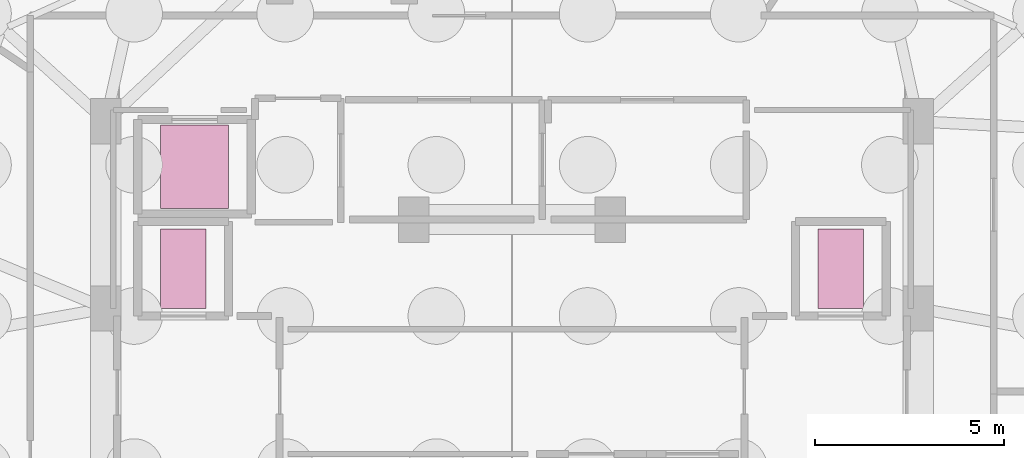
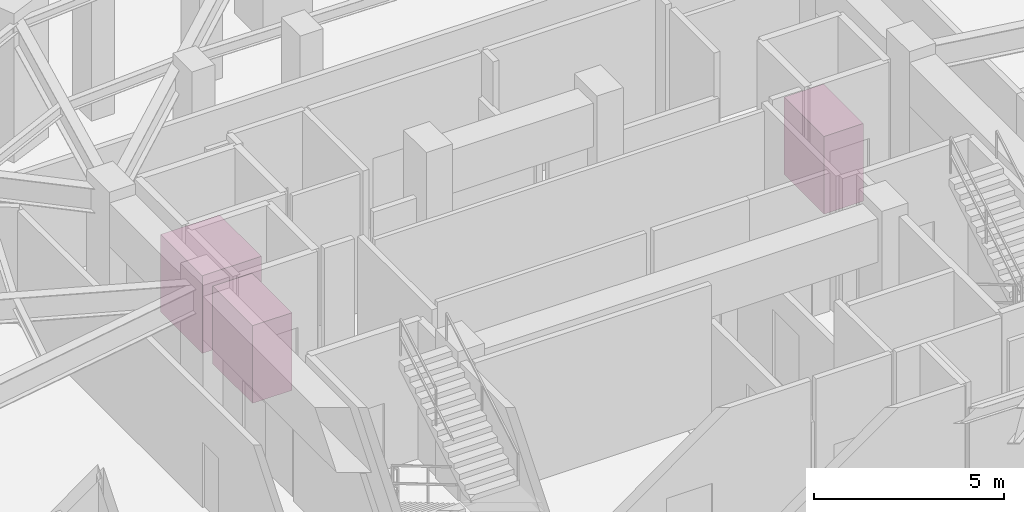
# One storey, part 9 of 9: 3 transport elements.
"""IFC4 building model written with IfcOpenShell, lengths in metres."""

from ifc_helpers import new_model, si_unit, direction, frame, origin, origin_2d, place, context, subcontext, project, spatial, rectangle, extrude, material, type_object, element, save


model = new_model("IFC4")

# Units and contexts
model_context = context("Model", 3, precision=1e-05, world=origin(), true_north=direction((0.0, 1.0)))
body_context = subcontext(model_context, "Body", "Model", "MODEL_VIEW")
ifc_project = project(units=[si_unit("LENGTHUNIT", "METRE"), si_unit("AREAUNIT", "SQUARE_METRE"), si_unit("VOLUMEUNIT", "CUBIC_METRE"), si_unit("PLANEANGLEUNIT", "RADIAN"), si_unit("MASSUNIT", "GRAM", prefix="KILO")], contexts=[model_context])

# Site, building, storey
site_placement = place(None, origin())
site = spatial("IfcSite", under=ifc_project, at=site_placement, CompositionType="ELEMENT")
building_placement = place(site_placement, origin())
building = spatial("IfcBuilding", under=site, at=building_placement, Name="Vorneva Point Tower", CompositionType="ELEMENT")
storey_placement = place(building_placement, frame((0.0, 0.0, -9.60009765625)))
storey = spatial("IfcBuildingStorey", under=building, at=storey_placement, Name="B02", CompositionType="ELEMENT", Elevation=-9.60009765625)

# Transport elements
ifc_material = material(Name="Brushed stainless steel S304", Category="steel")
transport_element_type_1 = type_object("IfcTransportElementType", Name="LFT-FIRE-1275", PredefinedType="ELEVATOR", material=ifc_material)
for number, where, z_axis, x_axis, name in (
    (1, (29.300048828125, 29.25, -0.0048828125), (0.0, 0.0, 1.0), (1.0, 0.0, 0.0), "Firefighting Lift FFL1"),
    (2, (46.699951171875, 29.25, -0.0048828125), (0.0, 0.0, 1.0), (1.0, 0.0, 0.0), "Firefighting Lift FFL2"),
):
    element("IfcTransportElement", number, at=place(storey_placement, frame(where, z_axis=z_axis, x_axis=x_axis)), inside=storey, type_object=transport_element_type_1, Name=name, PredefinedType="ELEVATOR", context=body_context, shape_type="SweptSolid", body=[
        extrude(rectangle(XDim=1.199951171875, YDim=2.10009765625, at=origin_2d()), origin(), (0.0, 0.0, 1.0), 2.5),
    ])
transport_element_type_2 = type_object("IfcTransportElementType", Name="LFT-SERV-2000", PredefinedType="ELEVATOR", material=ifc_material)
transport_element_placement = place(storey_placement, frame((29.60009765625, 31.949951171875, -0.0048828125), z_axis=(0.0, 0.0, 1.0), x_axis=(1.0, 0.0, 0.0)))
element("IfcTransportElement", 3, at=transport_element_placement, inside=storey, type_object=transport_element_type_2, Name="Service and Goods Lift SVL1", PredefinedType="ELEVATOR", context=body_context, shape_type="SweptSolid", body=[
    extrude(rectangle(XDim=1.800048828125, YDim=2.199951171875, at=origin_2d()), origin(), (0.0, 0.0, 1.0), 2.5),
])

save(model, "model.ifc")
